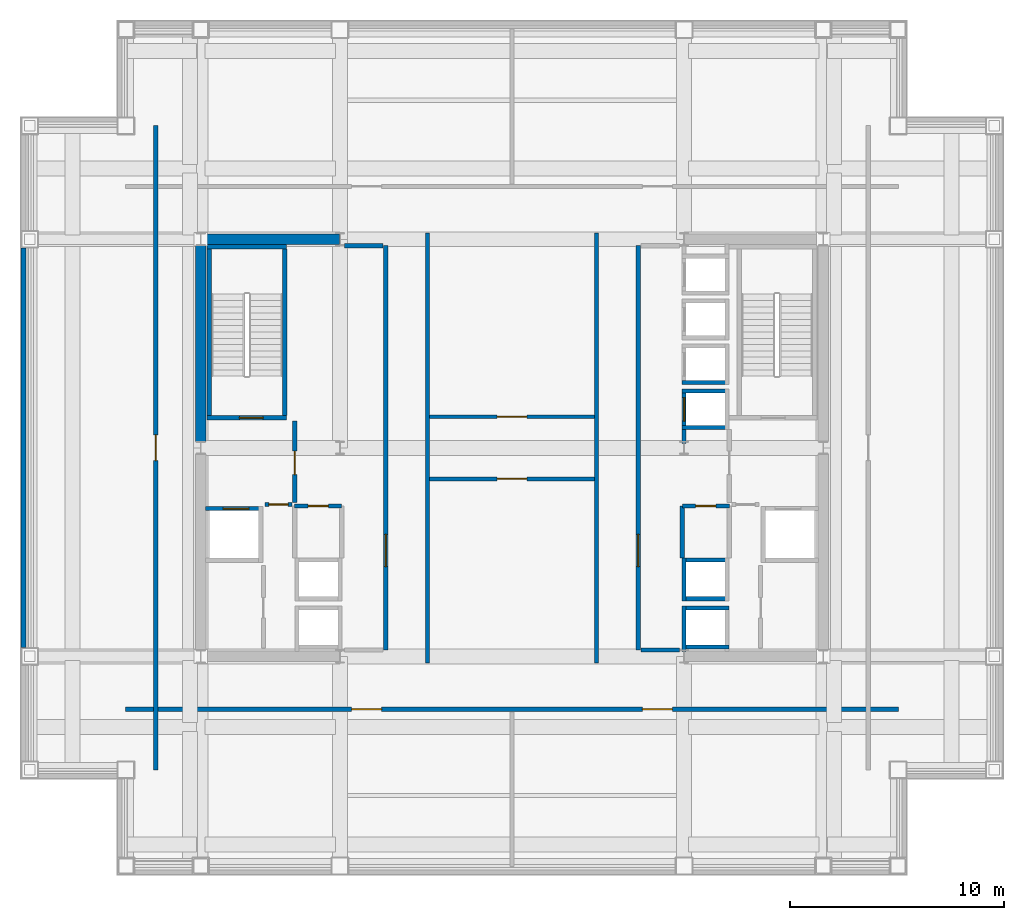
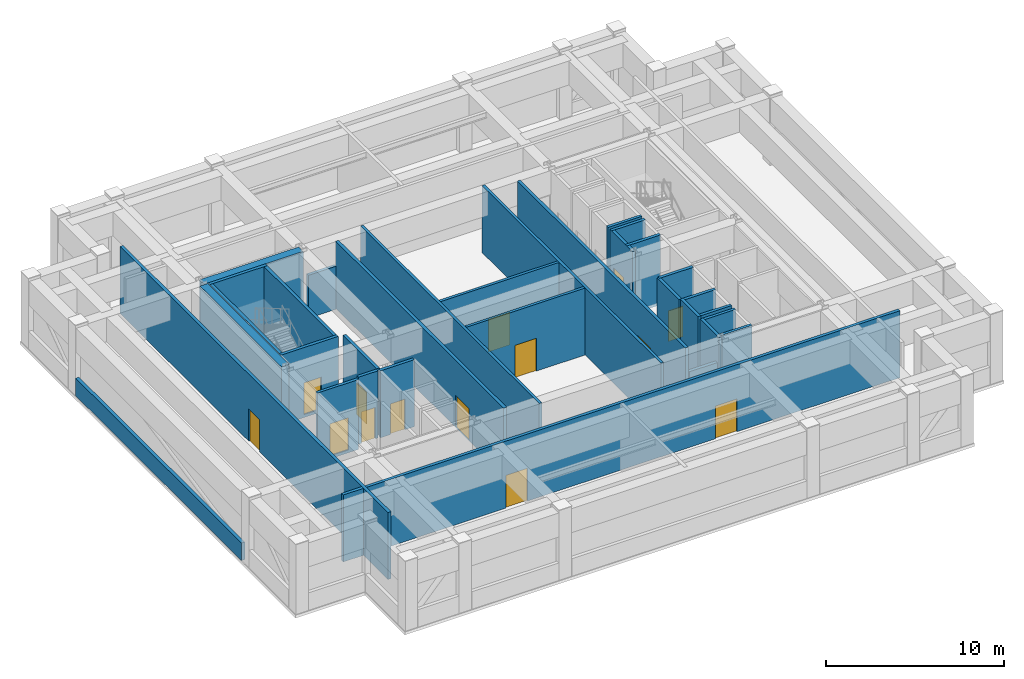
# One storey, part 4 of 9: 33 walls, 14 doors, 14 openings.
"""IFC4 building model written with IfcOpenShell, lengths in metres."""

from ifc_helpers import new_model, si_unit, direction, frame, frame_2d, origin, place, context, subcontext, project, spatial, rectangle, extrude, material, layer, layer_set, type_object, element, fill, save


model = new_model("IFC4")

# Units and contexts
model_context = context("Model", 3, precision=1e-05, world=origin(), true_north=direction((0.0, 1.0)))
body_context = subcontext(model_context, "Body", "Model", "MODEL_VIEW")
ifc_project = project(units=[si_unit("LENGTHUNIT", "METRE"), si_unit("AREAUNIT", "SQUARE_METRE"), si_unit("VOLUMEUNIT", "CUBIC_METRE"), si_unit("PLANEANGLEUNIT", "RADIAN"), si_unit("MASSUNIT", "GRAM", prefix="KILO")], contexts=[model_context])

# Site, building, storey
site_placement = place(None, origin())
site = spatial("IfcSite", under=ifc_project, at=site_placement, CompositionType="ELEMENT")
building_placement = place(site_placement, origin())
building = spatial("IfcBuilding", under=site, at=building_placement, Name="Brelmoor Portico Tower", CompositionType="ELEMENT")
storey_placement = place(building_placement, frame((0.0, 0.0, 145.800048828125)))
storey = spatial("IfcBuildingStorey", under=building, at=storey_placement, Name="L38", CompositionType="ELEMENT", Elevation=145.800048828125)

# Walls
ifc_material_1 = material(Name="Concrete C60", Category="concrete")
ifc_layer_1 = layer(ifc_material_1, 0.5)
ifc_layer_set_1 = layer_set([ifc_layer_1], Name="Concrete C60")
wall_type_1 = type_object("IfcWallType", Name="WL-CORE-500", PredefinedType="SHEAR", material=ifc_layer_set_1)
wall_1_placement = place(storey_placement, frame((-14.530029296875, 9.75, -0.199951171875), z_axis=(0.0, 0.0, 1.0), x_axis=(1.0, 0.0, 0.0)))
element("IfcWall", 1, at=wall_1_placement, inside=storey, type_object=wall_type_1, Name="L38 WC North Shear Wall", PredefinedType="SHEAR", context=body_context, shape_type="SweptSolid", body=[
    extrude(rectangle(XDim=6.4599609375, YDim=0.5, at=frame_2d((3.22998046875, 0.0))), origin(), (0.0, 0.0, 1.0), 4.7998046875),
])
wall_2_placement = place(storey_placement, frame((-14.550048828125, 0.300048828125, -0.199951171875), z_axis=(0.0, 0.0, 1.0), x_axis=(0.0, 1.0, 0.0)))
element("IfcWall", 2, at=wall_2_placement, inside=storey, type_object=wall_type_1, Name="L38 WC Outer North Shear Wall", PredefinedType="SHEAR", context=body_context, shape_type="SweptSolid", body=[
    extrude(rectangle(XDim=9.14990234375, YDim=0.5, at=frame_2d((4.574951171875, 0.0))), origin(), (0.0, 0.0, 1.0), 4.7998046875),
])
ifc_material_2 = material(Name="Concrete C40 Parapet Upstand", Category="concrete")
ifc_layer_2 = layer(ifc_material_2, 0.219970703125)
ifc_layer_set_2 = layer_set([ifc_layer_2], Name="Concrete C40 Parapet Upstand")
wall_type_2 = type_object("IfcWallType", Name="WL-PARAPET-220", PredefinedType="PARAPET", material=ifc_layer_set_2)
wall_3_placement = place(storey_placement, frame((-22.840087890625, 9.330078125, 0.0), z_axis=(0.0, 0.0, 1.0), x_axis=(0.0, -1.0, 0.0)))
element("IfcWall", 3, at=wall_3_placement, inside=storey, type_object=wall_type_2, Name="L38 Plant Louvre Perimeter Upstand 21", PredefinedType="PARAPET", context=body_context, shape_type="SweptSolid", body=[
    extrude(rectangle(XDim=18.66015625, YDim=0.219970703125, at=frame_2d((9.330078125, 0.0))), origin(), (0.0, 0.0, 1.0), 1.199951171875),
])
ifc_material_3 = material(Name="Acoustic Corridor Fire Partition", Category="gypsum")
ifc_layer_3 = layer(ifc_material_3, 0.179931640625)
ifc_layer_set_3 = layer_set([ifc_layer_3], Name="Acoustic Corridor Fire Partition")
wall_type_3 = type_object("IfcWallType", Name="WL-PART-180", PredefinedType="PARTITIONING", material=ifc_layer_set_3)
for number, where, z_axis, x_axis, name in (
    (4, (-3.949951171875, -10.050048828125, 0.0), (0.0, 0.0, 1.0), (0.0, 1.0, 0.0), "L38 Central Plant West Wall"),
    (5, (3.949951171875, -10.050048828125, 0.0), (0.0, 0.0, 1.0), (0.0, 1.0, 0.0), "L38 Central Plant East Wall"),
):
    element("IfcWall", number, at=place(storey_placement, frame(where, z_axis=z_axis, x_axis=x_axis)), inside=storey, type_object=wall_type_3, Name=name, PredefinedType="PARTITIONING", context=body_context, shape_type="SweptSolid", body=[
        extrude(rectangle(XDim=20.10009765625, YDim=0.179931640625, at=frame_2d((10.050048828125, 0.0))), origin(), (0.0, 0.0, 1.0), 4.599853515625),
    ])

# Wall, opening, door
wall_4_placement = place(storey_placement, frame((-3.85009765625, 1.449951171875, 0.0), z_axis=(0.0, 0.0, 1.0), x_axis=(1.0, 0.0, 0.0)))
wall_4 = element("IfcWall", 6, at=wall_4_placement, inside=storey, type_object=wall_type_3, Name="L38 Central Heat-Exchanger Wall", PredefinedType="PARTITIONING", context=body_context, shape_type="SweptSolid", body=[
    extrude(rectangle(XDim=7.7001953125, YDim=0.179931640625, at=frame_2d((3.85009765625, 0.0))), origin(), (0.0, 0.0, 1.0), 4.599853515625),
])
opening_1_placement = place(wall_4_placement, frame((3.14990234375, 0.0, 0.0)))
opening_1 = element("IfcOpeningElement", 7, at=opening_1_placement, cuts=wall_4, Name="Opening D-PL1", PredefinedType="OPENING", context=body_context, shape_type="SweptSolid", body=[
    extrude(rectangle(XDim=1.39990234375, YDim=2.25, at=frame_2d((0.699951171875, 1.125))), frame((0.0, 0.099853515625, 0.0), z_axis=(0.0, -1.0, 0.0), x_axis=(1.0, 0.0, 0.0)), (0.0, 0.0, 1.0), 0.199951171875),
])
ifc_material_4 = material(Name="Double-Leaf Acoustic Steel Plant Door", Category="steel")
door_type_1 = type_object("IfcDoorType", Name="DR-PLANT-1400", OperationType="NOTDEFINED", PredefinedType="DOOR", material=ifc_material_4)
door_1_placement = place(opening_1_placement, origin())
door_1 = element("IfcDoor", 8, at=door_1_placement, inside=storey, type_object=door_type_1, Name="D-1653 L38 Heat-Exchanger Room Door", OperationType="DOUBLE_DOOR_SINGLE_SWING", OverallHeight=2.25, OverallWidth=1.39990234375, PredefinedType="DOOR", context=body_context, shape_type="SweptSolid", body=[
    extrude(rectangle(XDim=1.39990234375, YDim=2.25, at=frame_2d((0.699951171875, 1.125))), frame((0.0, 0.02490234375, 0.0), z_axis=(0.0, -1.0, 0.0), x_axis=(1.0, 0.0, 0.0)), (0.0, 0.0, 1.0), 0.050048828125),
])
fill(opening_1, door_1)

wall_5_placement = place(storey_placement, frame((-3.85009765625, -1.449951171875, 0.0), z_axis=(0.0, 0.0, 1.0), x_axis=(1.0, 0.0, 0.0)))
wall_5 = element("IfcWall", 9, at=wall_5_placement, inside=storey, type_object=wall_type_3, Name="L38 Central Pump Room Wall", PredefinedType="PARTITIONING", context=body_context, shape_type="SweptSolid", body=[
    extrude(rectangle(XDim=7.7001953125, YDim=0.179931640625, at=frame_2d((3.85009765625, 0.0))), origin(), (0.0, 0.0, 1.0), 4.599853515625),
])
opening_2_placement = place(wall_5_placement, frame((3.14990234375, 0.0, 0.0)))
opening_2 = element("IfcOpeningElement", 10, at=opening_2_placement, cuts=wall_5, Name="Opening D-PL1", PredefinedType="OPENING", context=body_context, shape_type="SweptSolid", body=[
    extrude(rectangle(XDim=1.39990234375, YDim=2.25, at=frame_2d((0.699951171875, 1.125))), frame((0.0, 0.099853515625, 0.0), z_axis=(0.0, -1.0, 0.0), x_axis=(1.0, 0.0, 0.0)), (0.0, 0.0, 1.0), 0.199951171875),
])
door_2_placement = place(opening_2_placement, origin())
door_2 = element("IfcDoor", 11, at=door_2_placement, inside=storey, type_object=door_type_1, Name="D-1654 L38 Transfer Pump Room Door", OperationType="DOUBLE_DOOR_SINGLE_SWING", OverallHeight=2.25, OverallWidth=1.39990234375, PredefinedType="DOOR", context=body_context, shape_type="SweptSolid", body=[
    extrude(rectangle(XDim=1.39990234375, YDim=2.25, at=frame_2d((0.699951171875, 1.125))), frame((0.0, 0.02490234375, 0.0), z_axis=(0.0, -1.0, 0.0), x_axis=(1.0, 0.0, 0.0)), (0.0, 0.0, 1.0), 0.050048828125),
])
fill(opening_2, door_2)

ifc_material_5 = material(Name="Double-Stud Gypsum Fire Partition", Category="gypsum")
ifc_layer_4 = layer(ifc_material_5, 0.199951171875)
ifc_layer_set_4 = layer_set([ifc_layer_4], Name="Double-Stud Gypsum Fire Partition")
wall_type_4 = type_object("IfcWallType", Name="WL-PART-200", PredefinedType="PARTITIONING", material=ifc_layer_set_4)
wall_6_placement = place(storey_placement, frame((-5.89990234375, -9.449951171875, 0.0), z_axis=(0.0, 0.0, 1.0), x_axis=(0.0, 1.0, 0.0)))
wall_6 = element("IfcWall", 12, at=wall_6_placement, inside=storey, type_object=wall_type_4, Name="L38 W Core Lobby Compartment Wall", PredefinedType="PARTITIONING", context=body_context, shape_type="SweptSolid", body=[
    extrude(rectangle(XDim=18.89990234375, YDim=0.199951171875, at=frame_2d((9.449951171875, 0.0))), origin(), (0.0, 0.0, 1.0), 4.599853515625),
])
opening_3_placement = place(wall_6_placement, frame((3.89990234375, 0.0, 0.0)))
opening_3 = element("IfcOpeningElement", 13, at=opening_3_placement, cuts=wall_6, Name="Opening D-LB1", PredefinedType="OPENING", context=body_context, shape_type="SweptSolid", body=[
    extrude(rectangle(XDim=1.5, YDim=2.199951171875, at=frame_2d((0.75, 1.10009765625))), frame((0.0, 0.10986328125, 0.0), z_axis=(0.0, -1.0, 0.0), x_axis=(1.0, 0.0, 0.0)), (0.0, 0.0, 1.0), 0.219970703125),
])
ifc_material_6 = material(Name="Double-Leaf Glazed Steel Fire Door", Category="steel")
door_type_2 = type_object("IfcDoorType", Name="DR-LOBBY-1500", OperationType="NOTDEFINED", PredefinedType="DOOR", material=ifc_material_6)
door_3_placement = place(opening_3_placement, origin())
door_3 = element("IfcDoor", 14, at=door_3_placement, inside=storey, type_object=door_type_2, Name="D-1652 L38 W Lift Lobby Main Door", OperationType="DOUBLE_DOOR_SINGLE_SWING", OverallHeight=2.199951171875, OverallWidth=1.5, PredefinedType="DOOR", context=body_context, shape_type="SweptSolid", body=[
    extrude(rectangle(XDim=1.5, YDim=2.199951171875, at=frame_2d((0.75, 1.10009765625))), frame((0.0, 0.02490234375, 0.0), z_axis=(0.0, -1.0, 0.0), x_axis=(1.0, 0.0, 0.0)), (0.0, 0.0, 1.0), 0.050048828125),
])
fill(opening_3, door_3)

# Wall
wall_7_placement = place(storey_placement, frame((-6.02001953125, 9.449951171875, 0.0), z_axis=(0.0, 0.0, 1.0), x_axis=(-1.0, 0.0, 0.0)))
element("IfcWall", 15, at=wall_7_placement, inside=storey, type_object=wall_type_4, Name="L38 W Lift Lobby North End Wall", PredefinedType="PARTITIONING", context=body_context, shape_type="SweptSolid", body=[
    extrude(rectangle(XDim=1.800048828125, YDim=0.199951171875, at=frame_2d((0.89990234375, 0.0))), origin(), (0.0, 0.0, 1.0), 2.949951171875),
])

# Wall, opening, door
wall_8_placement = place(storey_placement, frame((-10.159912109375, -2.550048828125, 0.0), z_axis=(0.0, 0.0, 1.0), x_axis=(0.0, 1.0, 0.0)))
wall_8 = element("IfcWall", 16, at=wall_8_placement, inside=storey, type_object=wall_type_4, Name="L38 W Firefighting Lobby Wall", PredefinedType="PARTITIONING", context=body_context, shape_type="SweptSolid", body=[
    extrude(rectangle(XDim=3.800048828125, YDim=0.199951171875, at=frame_2d((1.89990234375, 0.0))), origin(), (0.0, 0.0, 1.0), 4.599853515625),
])
opening_4_placement = place(wall_8_placement, frame((1.300048828125, 0.0, 0.0)))
opening_4 = element("IfcOpeningElement", 17, at=opening_4_placement, cuts=wall_8, Name="Opening D-FR1", PredefinedType="OPENING", context=body_context, shape_type="SweptSolid", body=[
    extrude(rectangle(XDim=1.10009765625, YDim=2.14990234375, at=frame_2d((0.550048828125, 1.074951171875))), frame((0.0, 0.10986328125, 0.0), z_axis=(0.0, -1.0, 0.0), x_axis=(1.0, 0.0, 0.0)), (0.0, 0.0, 1.0), 0.219970703125),
])
ifc_material_7 = material(Name="Painted Galvanised Steel Fire Door", Category="steel")
door_type_3 = type_object("IfcDoorType", Name="DR-FIRE-1100", OperationType="NOTDEFINED", PredefinedType="DOOR", material=ifc_material_7)
door_4_placement = place(opening_4_placement, origin())
door_4 = element("IfcDoor", 18, at=door_4_placement, inside=storey, type_object=door_type_3, Name="D-1650 L38 W Firefighting Lobby Door", OperationType="SINGLE_SWING_RIGHT", OverallHeight=2.14990234375, OverallWidth=1.10009765625, PredefinedType="DOOR", context=body_context, shape_type="SweptSolid", body=[
    extrude(rectangle(XDim=1.10009765625, YDim=2.14990234375, at=frame_2d((0.550048828125, 1.074951171875))), frame((0.0, 0.02490234375, 0.0), z_axis=(0.0, -1.0, 0.0), x_axis=(1.0, 0.0, 0.0)), (0.0, 0.0, 1.0), 0.050048828125),
])
fill(opening_4, door_4)

wall_9_placement = place(storey_placement, frame((-10.280029296875, -2.64990234375, 0.0), z_axis=(0.0, 0.0, 1.0), x_axis=(-1.0, 0.0, 0.0)))
wall_9 = element("IfcWall", 19, at=wall_9_placement, inside=storey, type_object=wall_type_4, Name="L38 W Firefighting Lobby South Wall", PredefinedType="PARTITIONING", context=body_context, shape_type="SweptSolid", body=[
    extrude(rectangle(XDim=1.27001953125, YDim=0.199951171875, at=frame_2d((0.635009765625, 0.0))), origin(), (0.0, 0.0, 1.0), 4.599853515625),
])
opening_5_placement = place(wall_9_placement, frame((0.18505859375, 0.0, 0.0)))
opening_5 = element("IfcOpeningElement", 20, at=opening_5_placement, cuts=wall_9, Name="Opening D-IN1", PredefinedType="OPENING", context=body_context, shape_type="SweptSolid", body=[
    extrude(rectangle(XDim=0.89990234375, YDim=2.14990234375, at=frame_2d((0.449951171875, 1.074951171875))), frame((0.0, 0.10986328125, 0.0), z_axis=(0.0, -1.0, 0.0), x_axis=(1.0, 0.0, 0.0)), (0.0, 0.0, 1.0), 0.219970703125),
])
ifc_material_8 = material(Name="Lacquered Timber Suite Door", Category="wood")
door_type_4 = type_object("IfcDoorType", Name="DR-INT-900", OperationType="NOTDEFINED", PredefinedType="DOOR", material=ifc_material_8)
door_5_placement = place(opening_5_placement, origin())
door_5 = element("IfcDoor", 21, at=door_5_placement, inside=storey, type_object=door_type_4, Name="D-1646 L38 W Core Service Vestibule Door", OperationType="SINGLE_SWING_LEFT", OverallHeight=2.14990234375, OverallWidth=0.89990234375, PredefinedType="DOOR", context=body_context, shape_type="SweptSolid", body=[
    extrude(rectangle(XDim=0.89990234375, YDim=2.14990234375, at=frame_2d((0.449951171875, 1.074951171875))), frame((0.0, 0.02490234375, 0.0), z_axis=(0.0, -1.0, 0.0), x_axis=(1.0, 0.0, 0.0)), (0.0, 0.0, 1.0), 0.050048828125),
])
fill(opening_5, door_5)

wall_10_placement = place(storey_placement, frame((-7.9599609375, -2.719970703125, 0.0), z_axis=(0.0, 0.0, 1.0), x_axis=(-1.0, 0.0, 0.0)))
wall_10 = element("IfcWall", 22, at=wall_10_placement, inside=storey, type_object=wall_type_4, Name="L38 W Electrical Switchgear Closet Wall", PredefinedType="PARTITIONING", context=body_context, shape_type="SweptSolid", body=[
    extrude(rectangle(XDim=2.199951171875, YDim=0.199951171875, at=frame_2d((1.10009765625, 0.0))), origin(), (0.0, 0.0, 1.0), 4.599853515625),
])
opening_6_placement = place(wall_10_placement, frame((0.6201171875, 0.0, 0.0)))
opening_6 = element("IfcOpeningElement", 23, at=opening_6_placement, cuts=wall_10, Name="Opening D-FR4", PredefinedType="OPENING", context=body_context, shape_type="SweptSolid", body=[
    extrude(rectangle(XDim=0.949951171875, YDim=2.10009765625, at=frame_2d((0.47509765625, 1.050048828125))), frame((0.0, 0.10986328125, 0.0), z_axis=(0.0, -1.0, 0.0), x_axis=(1.0, 0.0, 0.0)), (0.0, 0.0, 1.0), 0.219970703125),
])
ifc_material_9 = material(Name="Painted Galvanised Steel Riser Door", Category="steel")
door_type_5 = type_object("IfcDoorType", Name="DR-FIRE-950", OperationType="NOTDEFINED", PredefinedType="DOOR", material=ifc_material_9)
door_6_placement = place(opening_6_placement, origin())
door_6 = element("IfcDoor", 24, at=door_6_placement, inside=storey, type_object=door_type_5, Name="D-1648 L38 W Electrical Switchgear Closet Door", OperationType="SINGLE_SWING_RIGHT", OverallHeight=2.10009765625, OverallWidth=0.949951171875, PredefinedType="DOOR", context=body_context, shape_type="SweptSolid", body=[
    extrude(rectangle(XDim=0.949951171875, YDim=2.10009765625, at=frame_2d((0.47509765625, 1.050048828125))), frame((0.0, 0.02490234375, 0.0), z_axis=(0.0, -1.0, 0.0), x_axis=(1.0, 0.0, 0.0)), (0.0, 0.0, 1.0), 0.050048828125),
])
fill(opening_6, door_6)

wall_11_placement = place(storey_placement, frame((5.89990234375, -9.449951171875, 0.0), z_axis=(0.0, 0.0, 1.0), x_axis=(0.0, 1.0, 0.0)))
wall_11 = element("IfcWall", 25, at=wall_11_placement, inside=storey, type_object=wall_type_4, Name="L38 E Core Lobby Compartment Wall", PredefinedType="PARTITIONING", context=body_context, shape_type="SweptSolid", body=[
    extrude(rectangle(XDim=18.89990234375, YDim=0.199951171875, at=frame_2d((9.449951171875, 0.0))), origin(), (0.0, 0.0, 1.0), 4.599853515625),
])
opening_7_placement = place(wall_11_placement, frame((3.89990234375, 0.0, 0.0)))
opening_7 = element("IfcOpeningElement", 26, at=opening_7_placement, cuts=wall_11, Name="Opening D-LB1", PredefinedType="OPENING", context=body_context, shape_type="SweptSolid", body=[
    extrude(rectangle(XDim=1.5, YDim=2.199951171875, at=frame_2d((0.75, 1.10009765625))), frame((0.0, 0.10986328125, 0.0), z_axis=(0.0, -1.0, 0.0), x_axis=(1.0, 0.0, 0.0)), (0.0, 0.0, 1.0), 0.219970703125),
])
door_7_placement = place(opening_7_placement, origin())
door_7 = element("IfcDoor", 27, at=door_7_placement, inside=storey, type_object=door_type_2, Name="D-1651 L38 E Lift Lobby Main Door", OperationType="DOUBLE_DOOR_SINGLE_SWING", OverallHeight=2.199951171875, OverallWidth=1.5, PredefinedType="DOOR", context=body_context, shape_type="SweptSolid", body=[
    extrude(rectangle(XDim=1.5, YDim=2.199951171875, at=frame_2d((0.75, 1.10009765625))), frame((0.0, 0.02490234375, 0.0), z_axis=(0.0, -1.0, 0.0), x_axis=(1.0, 0.0, 0.0)), (0.0, 0.0, 1.0), 0.050048828125),
])
fill(opening_7, door_7)

# Wall
wall_12_placement = place(storey_placement, frame((6.02001953125, -9.449951171875, 0.0), z_axis=(0.0, 0.0, 1.0), x_axis=(1.0, 0.0, 0.0)))
element("IfcWall", 28, at=wall_12_placement, inside=storey, type_object=wall_type_4, Name="L38 E Lift Lobby South End Wall", PredefinedType="PARTITIONING", context=body_context, shape_type="SweptSolid", body=[
    extrude(rectangle(XDim=1.800048828125, YDim=0.199951171875, at=frame_2d((0.89990234375, 0.0))), origin(), (0.0, 0.0, 1.0), 2.949951171875),
])

# Wall, opening, door
wall_13_placement = place(storey_placement, frame((7.9599609375, -2.719970703125, 0.0), z_axis=(0.0, 0.0, 1.0), x_axis=(1.0, 0.0, 0.0)))
wall_13 = element("IfcWall", 29, at=wall_13_placement, inside=storey, type_object=wall_type_4, Name="L38 E Electrical Switchgear Closet Wall", PredefinedType="PARTITIONING", context=body_context, shape_type="SweptSolid", body=[
    extrude(rectangle(XDim=2.199951171875, YDim=0.199951171875, at=frame_2d((1.10009765625, 0.0))), origin(), (0.0, 0.0, 1.0), 4.599853515625),
])
opening_8_placement = place(wall_13_placement, frame((0.6201171875, 0.0, 0.0)))
opening_8 = element("IfcOpeningElement", 30, at=opening_8_placement, cuts=wall_13, Name="Opening D-FR4", PredefinedType="OPENING", context=body_context, shape_type="SweptSolid", body=[
    extrude(rectangle(XDim=0.949951171875, YDim=2.10009765625, at=frame_2d((0.47509765625, 1.050048828125))), frame((0.0, 0.10986328125, 0.0), z_axis=(0.0, -1.0, 0.0), x_axis=(1.0, 0.0, 0.0)), (0.0, 0.0, 1.0), 0.219970703125),
])
door_8_placement = place(opening_8_placement, origin())
door_8 = element("IfcDoor", 31, at=door_8_placement, inside=storey, type_object=door_type_5, Name="D-1647 L38 E Electrical Switchgear Closet Door", OperationType="SINGLE_SWING_RIGHT", OverallHeight=2.10009765625, OverallWidth=0.949951171875, PredefinedType="DOOR", context=body_context, shape_type="SweptSolid", body=[
    extrude(rectangle(XDim=0.949951171875, YDim=2.10009765625, at=frame_2d((0.47509765625, 1.050048828125))), frame((0.0, 0.02490234375, 0.0), z_axis=(0.0, -1.0, 0.0), x_axis=(1.0, 0.0, 0.0)), (0.0, 0.0, 1.0), 0.050048828125),
])
fill(opening_8, door_8)

# Wall
wall_14_placement = place(storey_placement, frame((7.9599609375, -5.159912109375, 0.0), z_axis=(0.0, 0.0, 1.0), x_axis=(0.0, 1.0, 0.0)))
element("IfcWall", 32, at=wall_14_placement, inside=storey, type_object=wall_type_4, Name="L38 E Electrical Switchgear Closet Inner Wall", PredefinedType="PARTITIONING", context=body_context, shape_type="SweptSolid", body=[
    extrude(rectangle(XDim=2.43994140625, YDim=0.199951171875, at=frame_2d((1.219970703125, 0.0))), origin(), (0.0, 0.0, 1.0), 4.599853515625),
])

# Wall, opening, door
wall_15_placement = place(storey_placement, frame((-16.64990234375, -15.070068359375, 0.0), z_axis=(0.0, 0.0, 1.0), x_axis=(0.0, 1.0, 0.0)))
wall_15 = element("IfcWall", 33, at=wall_15_placement, inside=storey, type_object=wall_type_4, Name="L38 Pressurised Refuge Area West Fire Wall", PredefinedType="PARTITIONING", context=body_context, shape_type="SweptSolid", body=[
    extrude(rectangle(XDim=30.14013671875, YDim=0.199951171875, at=frame_2d((15.070068359375, 0.0))), origin(), (0.0, 0.0, 1.0), 4.599853515625),
])
opening_9_placement = place(wall_15_placement, frame((14.469970703125, 0.0, 0.0)))
opening_9 = element("IfcOpeningElement", 34, at=opening_9_placement, cuts=wall_15, Name="Opening D-FR3", PredefinedType="OPENING", context=body_context, shape_type="SweptSolid", body=[
    extrude(rectangle(XDim=1.199951171875, YDim=2.219970703125, at=frame_2d((0.60009765625, 1.10986328125))), frame((0.0, 0.10986328125, 0.0), z_axis=(0.0, -1.0, 0.0), x_axis=(1.0, 0.0, 0.0)), (0.0, 0.0, 1.0), 0.219970703125),
])
door_type_6 = type_object("IfcDoorType", Name="DR-FIRE-1200", OperationType="NOTDEFINED", PredefinedType="DOOR", material=ifc_material_7)
door_9_placement = place(opening_9_placement, origin())
door_9 = element("IfcDoor", 35, at=door_9_placement, inside=storey, type_object=door_type_6, Name="D-1660 L38 Pressurised Refuge Area West Door", OperationType="SINGLE_SWING_RIGHT", OverallHeight=2.219970703125, OverallWidth=1.199951171875, PredefinedType="DOOR", context=body_context, shape_type="SweptSolid", body=[
    extrude(rectangle(XDim=1.199951171875, YDim=2.219970703125, at=frame_2d((0.60009765625, 1.10986328125))), frame((0.0, 0.02490234375, 0.0), z_axis=(0.0, -1.0, 0.0), x_axis=(1.0, 0.0, 0.0)), (0.0, 0.0, 1.0), 0.050048828125),
])
fill(opening_9, door_9)

# Wall, openings, doors
wall_16_placement = place(storey_placement, frame((-18.070068359375, -12.219970703125, 0.0), z_axis=(0.0, 0.0, 1.0), x_axis=(1.0, 0.0, 0.0)))
wall_16 = element("IfcWall", 36, at=wall_16_placement, inside=storey, type_object=wall_type_4, Name="L38 South Plant Wall", PredefinedType="PARTITIONING", context=body_context, shape_type="SweptSolid", body=[
    extrude(rectangle(XDim=36.14013671875, YDim=0.199951171875, at=frame_2d((18.070068359375, 0.0))), origin(), (0.0, 0.0, 1.0), 4.599853515625),
])
opening_10_placement = place(wall_16_placement, frame((10.570068359375, 0.0, 0.0)))
opening_10 = element("IfcOpeningElement", 37, at=opening_10_placement, cuts=wall_16, Name="Opening D-PL1", PredefinedType="OPENING", context=body_context, shape_type="SweptSolid", body=[
    extrude(rectangle(XDim=1.39990234375, YDim=2.25, at=frame_2d((0.699951171875, 1.125))), frame((0.0, 0.10986328125, 0.0), z_axis=(0.0, -1.0, 0.0), x_axis=(1.0, 0.0, 0.0)), (0.0, 0.0, 1.0), 0.219970703125),
])
opening_11_placement = place(wall_16_placement, frame((24.169921875, 0.0, 0.0)))
opening_11 = element("IfcOpeningElement", 38, at=opening_11_placement, cuts=wall_16, Name="Opening D-PL1", PredefinedType="OPENING", context=body_context, shape_type="SweptSolid", body=[
    extrude(rectangle(XDim=1.39990234375, YDim=2.25, at=frame_2d((0.699951171875, 1.125))), frame((0.0, 0.10986328125, 0.0), z_axis=(0.0, -1.0, 0.0), x_axis=(1.0, 0.0, 0.0)), (0.0, 0.0, 1.0), 0.219970703125),
])
door_10_placement = place(opening_10_placement, origin())
door_10 = element("IfcDoor", 39, at=door_10_placement, inside=storey, type_object=door_type_1, Name="D-1658 L38 Smoke Extract Fan Plant Door", OperationType="DOUBLE_DOOR_SINGLE_SWING", OverallHeight=2.25, OverallWidth=1.39990234375, PredefinedType="DOOR", context=body_context, shape_type="SweptSolid", body=[
    extrude(rectangle(XDim=1.39990234375, YDim=2.25, at=frame_2d((0.699951171875, 1.125))), frame((0.0, 0.02490234375, 0.0), z_axis=(0.0, -1.0, 0.0), x_axis=(1.0, 0.0, 0.0)), (0.0, 0.0, 1.0), 0.050048828125),
])
fill(opening_10, door_10)
door_11_placement = place(opening_11_placement, origin())
door_11 = element("IfcDoor", 40, at=door_11_placement, inside=storey, type_object=door_type_1, Name="D-1657 L38 Electrical Substation Door", OperationType="DOUBLE_DOOR_SINGLE_SWING", OverallHeight=2.25, OverallWidth=1.39990234375, PredefinedType="DOOR", context=body_context, shape_type="SweptSolid", body=[
    extrude(rectangle(XDim=1.39990234375, YDim=2.25, at=frame_2d((0.699951171875, 1.125))), frame((0.0, 0.02490234375, 0.0), z_axis=(0.0, -1.0, 0.0), x_axis=(1.0, 0.0, 0.0)), (0.0, 0.0, 1.0), 0.050048828125),
])
fill(opening_11, door_11)

# Wall, opening, door
ifc_material_10 = material(Name="Precast Concrete C40", Category="concrete")
ifc_layer_5 = layer(ifc_material_10, 0.18994140625)
ifc_layer_set_5 = layer_set([ifc_layer_5], Name="Precast Concrete C40")
wall_type_5 = type_object("IfcWallType", Name="WL-SHAFT-180", PredefinedType="SOLIDWALL", material=ifc_layer_set_5)
wall_17_placement = place(storey_placement, frame((8.044921875, 0.2099609375, -0.199951171875), z_axis=(0.0, 0.0, 1.0), x_axis=(0.0, 1.0, 0.0)))
wall_17 = element("IfcWall", 41, at=wall_17_placement, inside=storey, type_object=wall_type_5, Name="L38 Lift PM1 Hoistway Front Wall", PredefinedType="SOLIDWALL", context=body_context, shape_type="SweptSolid", body=[
    extrude(rectangle(XDim=2.5400390625, YDim=0.18994140625, at=frame_2d((1.27001953125, 0.0))), origin(), (0.0, 0.0, 1.0), 4.7998046875),
])
opening_12_placement = place(wall_17_placement, frame((1.0400390625, 0.0, 0.199951171875)))
opening_12 = element("IfcOpeningElement", 42, at=opening_12_placement, cuts=wall_17, Name="Opening LD-01", PredefinedType="OPENING", context=body_context, shape_type="SweptSolid", body=[
    extrude(rectangle(XDim=1.10009765625, YDim=2.199951171875, at=frame_2d((0.550048828125, 1.10009765625))), frame((0.0, 0.10498046875, 0.0), z_axis=(0.0, -1.0, 0.0), x_axis=(1.0, 0.0, 0.0)), (0.0, 0.0, 1.0), 0.2099609375),
])
ifc_material_11 = material(Name="Brushed Stainless Steel Sliding Lift Door", Category="steel")
door_type_7 = type_object("IfcDoorType", Name="DR-LIFT-1100", OperationType="NOTDEFINED", PredefinedType="DOOR", material=ifc_material_11)
door_12_placement = place(opening_12_placement, origin())
door_12 = element("IfcDoor", 43, at=door_12_placement, inside=storey, type_object=door_type_7, Name="D-1665 L38 Lift PM1 Sliding Landing Door", OperationType="SLIDING_TO_LEFT", OverallHeight=2.199951171875, OverallWidth=1.10009765625, PredefinedType="DOOR", context=body_context, shape_type="SweptSolid", body=[
    extrude(rectangle(XDim=1.10009765625, YDim=2.199951171875, at=frame_2d((0.550048828125, 1.10009765625))), frame((0.0, 0.02490234375, 0.0), z_axis=(0.0, -1.0, 0.0), x_axis=(1.0, 0.0, 0.0)), (0.0, 0.0, 1.0), 0.050048828125),
])
fill(opening_12, door_12)

# Walls
for number, where, z_axis, x_axis, name in (
    (44, (7.949951171875, 2.655029296875, -0.199951171875), (0.0, 0.0, 1.0), (1.0, 0.0, 0.0), "L38 Lift PM1 Hoistway North Wall"),
    (45, (7.949951171875, 0.945068359375, -0.199951171875), (0.0, 0.0, 1.0), (1.0, 0.0, 0.0), "L38 Lift PM1 Hoistway South Wall"),
    (46, (7.949951171875, 3.044921875, -0.199951171875), (0.0, 0.0, 1.0), (1.0, 0.0, 0.0), "L38 Lift PM2 Hoistway South Wall"),
):
    element("IfcWall", number, at=place(storey_placement, frame(where, z_axis=z_axis, x_axis=x_axis)), inside=storey, type_object=wall_type_5, Name=name, PredefinedType="SOLIDWALL", context=body_context, shape_type="SweptSolid", body=[
        extrude(rectangle(XDim=2.199951171875, YDim=0.18994140625, at=frame_2d((1.10009765625, 0.0))), origin(), (0.0, 0.0, 1.0), 4.7998046875),
    ])
wall_18_placement = place(storey_placement, frame((8.044921875, -9.52001953125, -0.199951171875), z_axis=(0.0, 0.0, 1.0), x_axis=(0.0, 1.0, 0.0)))
element("IfcWall", 47, at=wall_18_placement, inside=storey, type_object=wall_type_5, Name="L38 Lift PH3 Hoistway Front Wall", PredefinedType="SOLIDWALL", context=body_context, shape_type="SweptSolid", body=[
    extrude(rectangle(XDim=2.1201171875, YDim=0.18994140625, at=frame_2d((1.06005859375, 0.0))), origin(), (0.0, 0.0, 1.0), 4.7998046875),
])
for number, where, z_axis, x_axis, name in (
    (48, (7.949951171875, -7.4951171875, -0.199951171875), (0.0, 0.0, 1.0), (1.0, 0.0, 0.0), "L38 Lift PH3 Hoistway North Wall"),
    (49, (7.949951171875, -9.304931640625, -0.199951171875), (0.0, 0.0, 1.0), (1.0, 0.0, 0.0), "L38 Lift PH3 Hoistway South Wall"),
):
    element("IfcWall", number, at=place(storey_placement, frame(where, z_axis=z_axis, x_axis=x_axis)), inside=storey, type_object=wall_type_5, Name=name, PredefinedType="SOLIDWALL", context=body_context, shape_type="SweptSolid", body=[
        extrude(rectangle(XDim=2.199951171875, YDim=0.18994140625, at=frame_2d((1.10009765625, 0.0))), origin(), (0.0, 0.0, 1.0), 4.7998046875),
    ])
wall_19_placement = place(storey_placement, frame((8.044921875, -7.14990234375, -0.199951171875), z_axis=(0.0, 0.0, 1.0), x_axis=(0.0, 1.0, 0.0)))
element("IfcWall", 50, at=wall_19_placement, inside=storey, type_object=wall_type_5, Name="L38 Lift PH4 Hoistway Front Wall", PredefinedType="SOLIDWALL", context=body_context, shape_type="SweptSolid", body=[
    extrude(rectangle(XDim=2.0, YDim=0.18994140625, at=frame_2d((1.0, 0.0))), origin(), (0.0, 0.0, 1.0), 4.7998046875),
])
for number, where, z_axis, x_axis, name in (
    (51, (7.949951171875, -5.2451171875, -0.199951171875), (0.0, 0.0, 1.0), (1.0, 0.0, 0.0), "L38 Lift PH4 Hoistway North Wall"),
    (52, (7.949951171875, -7.054931640625, -0.199951171875), (0.0, 0.0, 1.0), (1.0, 0.0, 0.0), "L38 Lift PH4 Hoistway South Wall"),
):
    element("IfcWall", number, at=place(storey_placement, frame(where, z_axis=z_axis, x_axis=x_axis)), inside=storey, type_object=wall_type_5, Name=name, PredefinedType="SOLIDWALL", context=body_context, shape_type="SweptSolid", body=[
        extrude(rectangle(XDim=2.199951171875, YDim=0.18994140625, at=frame_2d((1.10009765625, 0.0))), origin(), (0.0, 0.0, 1.0), 4.7998046875),
    ])

# Wall, opening, door
wall_20_placement = place(storey_placement, frame((-14.330078125, -2.844970703125, -0.199951171875), z_axis=(0.0, 0.0, 1.0), x_axis=(1.0, 0.0, 0.0)))
wall_20 = element("IfcWall", 53, at=wall_20_placement, inside=storey, type_object=wall_type_5, Name="L38 Lift FF1 Hoistway Front Wall", PredefinedType="SOLIDWALL", context=body_context, shape_type="SweptSolid", body=[
    extrude(rectangle(XDim=2.68017578125, YDim=0.18994140625, at=frame_2d((1.340087890625, 0.0))), origin(), (0.0, 0.0, 1.0), 4.7998046875),
])
opening_13_placement = place(wall_20_placement, frame((0.830078125, 0.0, 0.199951171875)))
opening_13 = element("IfcOpeningElement", 54, at=opening_13_placement, cuts=wall_20, Name="Opening LD-02", PredefinedType="OPENING", context=body_context, shape_type="SweptSolid", body=[
    extrude(rectangle(XDim=1.199951171875, YDim=2.199951171875, at=frame_2d((0.60009765625, 1.10009765625))), frame((0.0, 0.10498046875, 0.0), z_axis=(0.0, -1.0, 0.0), x_axis=(1.0, 0.0, 0.0)), (0.0, 0.0, 1.0), 0.2099609375),
])
ifc_material_12 = material(Name="Brushed Stainless Steel Firefighting Lift Door", Category="steel")
door_type_8 = type_object("IfcDoorType", Name="DR-LIFT-1200", OperationType="NOTDEFINED", PredefinedType="DOOR", material=ifc_material_12)
door_13_placement = place(opening_13_placement, origin())
door_13 = element("IfcDoor", 55, at=door_13_placement, inside=storey, type_object=door_type_8, Name="D-1663 L38 Lift FF1 Sliding Landing Door", OperationType="SLIDING_TO_LEFT", OverallHeight=2.199951171875, OverallWidth=1.199951171875, PredefinedType="DOOR", context=body_context, shape_type="SweptSolid", body=[
    extrude(rectangle(XDim=1.199951171875, YDim=2.199951171875, at=frame_2d((0.60009765625, 1.10009765625))), frame((0.0, 0.02490234375, 0.0), z_axis=(0.0, -1.0, 0.0), x_axis=(1.0, 0.0, 0.0)), (0.0, 0.0, 1.0), 0.050048828125),
])
fill(opening_13, door_13)

# Wall
ifc_material_13 = material(Name="Concrete C40", Category="concrete")
ifc_layer_6 = layer(ifc_material_13, 0.199951171875)
ifc_layer_set_6 = layer_set([ifc_layer_6], Name="Concrete C40")
wall_type_6 = type_object("IfcWallType", Name="WL-SHAFT-RC200", PredefinedType="SOLIDWALL", material=ifc_layer_set_6)
wall_21_placement = place(storey_placement, frame((-14.14990234375, 1.5, -0.199951171875), z_axis=(0.0, 0.0, 1.0), x_axis=(0.0, 1.0, 0.0)))
element("IfcWall", 56, at=wall_21_placement, inside=storey, type_object=wall_type_6, Name="L38 ST-W Structural Stair Wall Outer", PredefinedType="SOLIDWALL", context=body_context, shape_type="SweptSolid", body=[
    extrude(rectangle(XDim=7.800048828125, YDim=0.199951171875, at=frame_2d((3.89990234375, 0.0))), origin(), (0.0, 0.0, 1.0), 4.7998046875),
])

# Wall, opening, door
wall_22_placement = place(storey_placement, frame((-14.25, 1.39990234375, -0.199951171875), z_axis=(0.0, 0.0, 1.0), x_axis=(1.0, 0.0, 0.0)))
wall_22 = element("IfcWall", 57, at=wall_22_placement, inside=storey, type_object=wall_type_6, Name="L38 ST-W Structural Stair Wall S", PredefinedType="SOLIDWALL", context=body_context, shape_type="SweptSolid", body=[
    extrude(rectangle(XDim=3.719970703125, YDim=0.199951171875, at=frame_2d((1.85986328125, 0.0))), origin(), (0.0, 0.0, 1.0), 4.7998046875),
])
opening_14_placement = place(wall_22_placement, frame((1.5, 0.0, 0.199951171875)))
opening_14 = element("IfcOpeningElement", 58, at=opening_14_placement, cuts=wall_22, Name="Opening D-ST1", PredefinedType="OPENING", context=body_context, shape_type="SweptSolid", body=[
    extrude(rectangle(XDim=1.1201171875, YDim=2.179931640625, at=frame_2d((0.56005859375, 1.08984375))), frame((0.0, 0.10986328125, 0.0), z_axis=(0.0, -1.0, 0.0), x_axis=(1.0, 0.0, 0.0)), (0.0, 0.0, 1.0), 0.219970703125),
])
door_type_9 = type_object("IfcDoorType", Name="DR-STAIR-1100", OperationType="NOTDEFINED", PredefinedType="DOOR", material=ifc_material_7)
door_14_placement = place(opening_14_placement, origin())
door_14 = element("IfcDoor", 59, at=door_14_placement, inside=storey, type_object=door_type_9, Name="D-1662 L38 ST-W Protected Exit Stair Door", OperationType="SINGLE_SWING_LEFT", OverallHeight=2.179931640625, OverallWidth=1.1201171875, PredefinedType="DOOR", context=body_context, shape_type="SweptSolid", body=[
    extrude(rectangle(XDim=1.1201171875, YDim=2.179931640625, at=frame_2d((0.56005859375, 1.08984375))), frame((0.0, 0.02490234375, 0.0), z_axis=(0.0, -1.0, 0.0), x_axis=(1.0, 0.0, 0.0)), (0.0, 0.0, 1.0), 0.050048828125),
])
fill(opening_14, door_14)

# Walls
wall_23_placement = place(storey_placement, frame((-14.25, 9.39990234375, -0.199951171875), z_axis=(0.0, 0.0, 1.0), x_axis=(1.0, 0.0, 0.0)))
element("IfcWall", 60, at=wall_23_placement, inside=storey, type_object=wall_type_6, Name="L38 ST-W Structural Stair Wall N", PredefinedType="SOLIDWALL", context=body_context, shape_type="SweptSolid", body=[
    extrude(rectangle(XDim=3.719970703125, YDim=0.199951171875, at=frame_2d((1.85986328125, 0.0))), origin(), (0.0, 0.0, 1.0), 4.7998046875),
])
wall_24_placement = place(storey_placement, frame((-10.6298828125, 1.5, -0.199951171875), z_axis=(0.0, 0.0, 1.0), x_axis=(0.0, 1.0, 0.0)))
element("IfcWall", 61, at=wall_24_placement, inside=storey, type_object=wall_type_6, Name="L38 ST-W Structural Stair Wall Inner", PredefinedType="SOLIDWALL", context=body_context, shape_type="SweptSolid", body=[
    extrude(rectangle(XDim=7.800048828125, YDim=0.199951171875, at=frame_2d((3.89990234375, 0.0))), origin(), (0.0, 0.0, 1.0), 4.7998046875),
])

save(model, "model.ifc")
